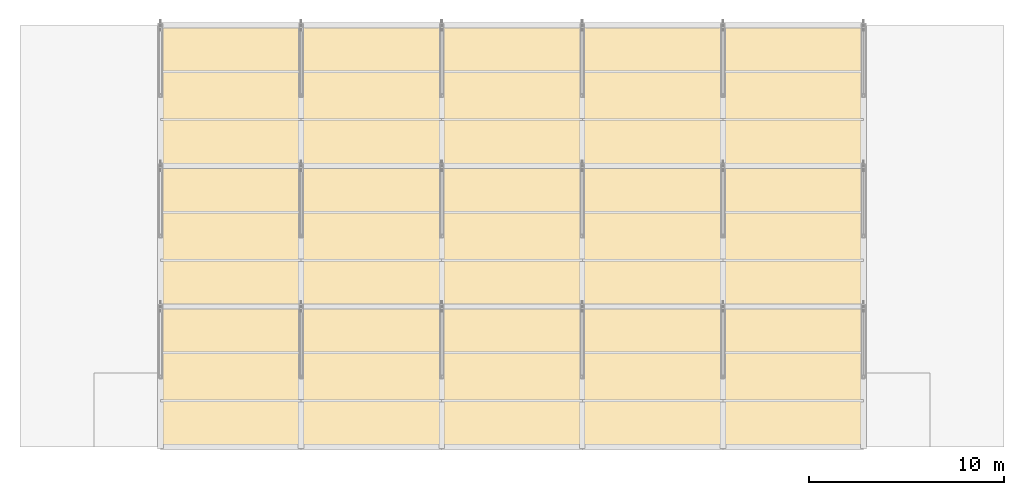
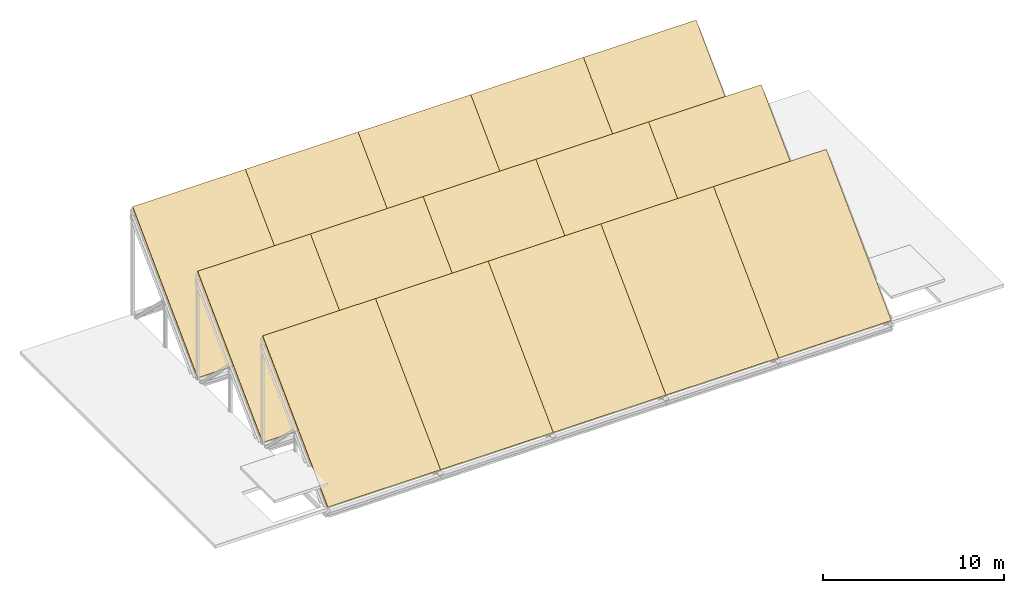
# One storey, part 7 of 7: 15 coverings, 15 elements without a shape of their own.
"""IFC4 building model written with IfcOpenShell, lengths in metres."""

from ifc_helpers import new_model, si_unit, direction, frame, origin, place, context, subcontext, project, spatial, polyline, outline, extrude, material, layer, layer_set, type_object, element, aggregate, save


model = new_model("IFC4")

# Units and contexts
model_context = context("Model", 3, precision=1e-05, world=origin(), true_north=direction((0.0, 1.0)))
body_context = subcontext(model_context, "Body", "Model", "MODEL_VIEW")
ifc_project = project(units=[si_unit("LENGTHUNIT", "METRE"), si_unit("AREAUNIT", "SQUARE_METRE"), si_unit("VOLUMEUNIT", "CUBIC_METRE"), si_unit("PLANEANGLEUNIT", "RADIAN"), si_unit("MASSUNIT", "GRAM", prefix="KILO")], contexts=[model_context])

# Site, building, storey
site_placement = place(None, origin())
site = spatial("IfcSite", under=ifc_project, at=site_placement, CompositionType="ELEMENT")
building_placement = place(site_placement, origin())
building = spatial("IfcBuilding", under=site, at=building_placement, Name="Zlatovets Crest Museum", CompositionType="ELEMENT")
storey_placement = place(building_placement, frame((0.0, 0.0, 30.60009765625)))
storey = spatial("IfcBuildingStorey", under=building, at=storey_placement, Name="Roof", CompositionType="ELEMENT", Elevation=30.60009765625)

# Roof, covering
ifc_material_1 = material(Name="Pre-patinated copper-zinc standing seam on steel deck", Category="steel")
ifc_layer_1 = layer(ifc_material_1, 0.199951171875)
ifc_layer_set_1 = layer_set([ifc_layer_1], Name="Pre-patinated copper-zinc standing seam on steel deck")
roof_type = type_object("IfcRoofType", Name="Roof_Sawtooth_Main", PredefinedType="SHED_ROOF", material=ifc_layer_set_1)
roof_1_placement = place(storey_placement, origin())
roof_1 = element("IfcRoof", 1, at=roof_1_placement, inside=storey, type_object=roof_type, Name="V1 North-Light Sawtooth Tooth 1 Bay 1", PredefinedType="SHED_ROOF")
ifc_material_2 = material(Name="Pre-patinated copper-zinc standing-seam roofing")
ifc_layer_2 = layer(ifc_material_2, 0.06005859375)
ifc_layer_set_2 = layer_set([ifc_layer_2], Name="Pre-patinated copper-zinc standing-seam roofing")
covering_type = type_object("IfcCoveringType", Name="RoofCov_Zinc", PredefinedType="ROOFING", material=ifc_layer_set_2)
covering_1_placement = place(storey_placement, frame((64.800048828125, 93.60009765625, 0.059814453125), z_axis=(0.0, -0.7071187694, 0.70709479277), x_axis=(1.0, 0.0, 0.0)))
covering_1 = element("IfcCovering", 2, at=covering_1_placement, type_object=covering_type, Name="V1 Sawtooth Tooth 1 Copper-Zinc Standing Seam Bay 1", PredefinedType="ROOFING", context=body_context, shape_type="SweptSolid", body=[
    extrude(outline(polyline([(0.0, 0.0), (7.199951171875, 0.0), (7.199951171875, 10.182441230644601), (0.0, 10.182441230644601), (0.0, 0.0)])), origin(), (0.0, 0.0, -1.0), 0.06005859375),
])
aggregate(roof_1, [covering_1])

roof_2_placement = place(storey_placement, origin())
roof_2 = element("IfcRoof", 3, at=roof_2_placement, inside=storey, type_object=roof_type, Name="V1 North-Light Sawtooth Tooth 1 Bay 2", PredefinedType="SHED_ROOF")
covering_2_placement = place(storey_placement, frame((72.0, 93.60009765625, 0.059814453125), z_axis=(0.0, -0.7071187694, 0.70709479277), x_axis=(1.0, 0.0, 0.0)))
covering_2 = element("IfcCovering", 4, at=covering_2_placement, type_object=covering_type, Name="V1 Sawtooth Tooth 1 Copper-Zinc Standing Seam Bay 2", PredefinedType="ROOFING", context=body_context, shape_type="SweptSolid", body=[
    extrude(outline(polyline([(0.0, 0.0), (7.199951171875, 0.0), (7.199951171875, 10.182441230644601), (0.0, 10.182441230644601), (0.0, 0.0)])), origin(), (0.0, 0.0, -1.0), 0.06005859375),
])
aggregate(roof_2, [covering_2])

roof_3_placement = place(storey_placement, origin())
roof_3 = element("IfcRoof", 5, at=roof_3_placement, inside=storey, type_object=roof_type, Name="V1 North-Light Sawtooth Tooth 1 Bay 3", PredefinedType="SHED_ROOF")
covering_3_placement = place(storey_placement, frame((79.199951171875, 93.60009765625, 0.059814453125), z_axis=(0.0, -0.7071187694, 0.70709479277), x_axis=(1.0, 0.0, 0.0)))
covering_3 = element("IfcCovering", 6, at=covering_3_placement, type_object=covering_type, Name="V1 Sawtooth Tooth 1 Copper-Zinc Standing Seam Bay 3", PredefinedType="ROOFING", context=body_context, shape_type="SweptSolid", body=[
    extrude(outline(polyline([(0.0, 0.0), (7.199951171875, 0.0), (7.199951171875, 10.182441230644601), (0.0, 10.182441230644601), (0.0, 0.0)])), origin(), (0.0, 0.0, -1.0), 0.06005859375),
])
aggregate(roof_3, [covering_3])

roof_4_placement = place(storey_placement, origin())
roof_4 = element("IfcRoof", 7, at=roof_4_placement, inside=storey, type_object=roof_type, Name="V1 North-Light Sawtooth Tooth 1 Bay 4", PredefinedType="SHED_ROOF")
covering_4_placement = place(storey_placement, frame((86.39990234375, 93.60009765625, 0.059814453125), z_axis=(0.0, -0.7071187694, 0.70709479277), x_axis=(1.0, 0.0, 0.0)))
covering_4 = element("IfcCovering", 8, at=covering_4_placement, type_object=covering_type, Name="V1 Sawtooth Tooth 1 Copper-Zinc Standing Seam Bay 4", PredefinedType="ROOFING", context=body_context, shape_type="SweptSolid", body=[
    extrude(outline(polyline([(0.0, 0.0), (7.2001953125, 0.0), (7.2001953125, 10.182441230644603), (0.0, 10.182441230644603), (0.0, 0.0)])), origin(), (0.0, 0.0, -1.0), 0.06005859375),
])
aggregate(roof_4, [covering_4])

roof_5_placement = place(storey_placement, origin())
roof_5 = element("IfcRoof", 9, at=roof_5_placement, inside=storey, type_object=roof_type, Name="V1 North-Light Sawtooth Tooth 1 Bay 5", PredefinedType="SHED_ROOF")
covering_5_placement = place(storey_placement, frame((93.60009765625, 93.60009765625, 0.059814453125), z_axis=(0.0, -0.7071187694, 0.70709479277), x_axis=(1.0, 0.0, 0.0)))
covering_5 = element("IfcCovering", 10, at=covering_5_placement, type_object=covering_type, Name="V1 Sawtooth Tooth 1 Copper-Zinc Standing Seam Bay 5", PredefinedType="ROOFING", context=body_context, shape_type="SweptSolid", body=[
    extrude(outline(polyline([(0.0, 0.0), (7.199951171875, 0.0), (7.199951171875, 10.182441230644601), (0.0, 10.182441230644601), (0.0, 0.0)])), origin(), (0.0, 0.0, -1.0), 0.06005859375),
])
aggregate(roof_5, [covering_5])

roof_6_placement = place(storey_placement, origin())
roof_6 = element("IfcRoof", 11, at=roof_6_placement, inside=storey, type_object=roof_type, Name="V1 North-Light Sawtooth Tooth 2 Bay 1", PredefinedType="SHED_ROOF")
covering_6_placement = place(storey_placement, frame((64.800048828125, 100.800048828125, 0.059814453125), z_axis=(0.0, -0.7071187694, 0.70709479277), x_axis=(1.0, 0.0, 0.0)))
covering_6 = element("IfcCovering", 12, at=covering_6_placement, type_object=covering_type, Name="V1 Sawtooth Tooth 2 Copper-Zinc Standing Seam Bay 1", PredefinedType="ROOFING", context=body_context, shape_type="SweptSolid", body=[
    extrude(outline(polyline([(0.0, 0.0), (7.199951171875, 0.0), (7.199951171875, 10.182441230644601), (0.0, 10.182441230644601), (0.0, 0.0)])), origin(), (0.0, 0.0, -1.0), 0.06005859375),
])
aggregate(roof_6, [covering_6])

roof_7_placement = place(storey_placement, origin())
roof_7 = element("IfcRoof", 13, at=roof_7_placement, inside=storey, type_object=roof_type, Name="V1 North-Light Sawtooth Tooth 2 Bay 2", PredefinedType="SHED_ROOF")
covering_7_placement = place(storey_placement, frame((72.0, 100.800048828125, 0.059814453125), z_axis=(0.0, -0.7071187694, 0.70709479277), x_axis=(1.0, 0.0, 0.0)))
covering_7 = element("IfcCovering", 14, at=covering_7_placement, type_object=covering_type, Name="V1 Sawtooth Tooth 2 Copper-Zinc Standing Seam Bay 2", PredefinedType="ROOFING", context=body_context, shape_type="SweptSolid", body=[
    extrude(outline(polyline([(0.0, 0.0), (7.199951171875, 0.0), (7.199951171875, 10.182441230644601), (0.0, 10.182441230644601), (0.0, 0.0)])), origin(), (0.0, 0.0, -1.0), 0.06005859375),
])
aggregate(roof_7, [covering_7])

roof_8_placement = place(storey_placement, origin())
roof_8 = element("IfcRoof", 15, at=roof_8_placement, inside=storey, type_object=roof_type, Name="V1 North-Light Sawtooth Tooth 2 Bay 3", PredefinedType="SHED_ROOF")
covering_8_placement = place(storey_placement, frame((79.199951171875, 100.800048828125, 0.059814453125), z_axis=(0.0, -0.7071187694, 0.70709479277), x_axis=(1.0, 0.0, 0.0)))
covering_8 = element("IfcCovering", 16, at=covering_8_placement, type_object=covering_type, Name="V1 Sawtooth Tooth 2 Copper-Zinc Standing Seam Bay 3", PredefinedType="ROOFING", context=body_context, shape_type="SweptSolid", body=[
    extrude(outline(polyline([(0.0, 0.0), (7.199951171875, 0.0), (7.199951171875, 10.182441230644601), (0.0, 10.182441230644601), (0.0, 0.0)])), origin(), (0.0, 0.0, -1.0), 0.06005859375),
])
aggregate(roof_8, [covering_8])

roof_9_placement = place(storey_placement, origin())
roof_9 = element("IfcRoof", 17, at=roof_9_placement, inside=storey, type_object=roof_type, Name="V1 North-Light Sawtooth Tooth 2 Bay 4", PredefinedType="SHED_ROOF")
covering_9_placement = place(storey_placement, frame((86.39990234375, 100.800048828125, 0.059814453125), z_axis=(0.0, -0.7071187694, 0.70709479277), x_axis=(1.0, 0.0, 0.0)))
covering_9 = element("IfcCovering", 18, at=covering_9_placement, type_object=covering_type, Name="V1 Sawtooth Tooth 2 Copper-Zinc Standing Seam Bay 4", PredefinedType="ROOFING", context=body_context, shape_type="SweptSolid", body=[
    extrude(outline(polyline([(0.0, 0.0), (7.2001953125, 0.0), (7.2001953125, 10.182441230644603), (0.0, 10.182441230644603), (0.0, 0.0)])), origin(), (0.0, 0.0, -1.0), 0.06005859375),
])
aggregate(roof_9, [covering_9])

roof_10_placement = place(storey_placement, origin())
roof_10 = element("IfcRoof", 19, at=roof_10_placement, inside=storey, type_object=roof_type, Name="V1 North-Light Sawtooth Tooth 2 Bay 5", PredefinedType="SHED_ROOF")
covering_10_placement = place(storey_placement, frame((93.60009765625, 100.800048828125, 0.059814453125), z_axis=(0.0, -0.7071187694, 0.70709479277), x_axis=(1.0, 0.0, 0.0)))
covering_10 = element("IfcCovering", 20, at=covering_10_placement, type_object=covering_type, Name="V1 Sawtooth Tooth 2 Copper-Zinc Standing Seam Bay 5", PredefinedType="ROOFING", context=body_context, shape_type="SweptSolid", body=[
    extrude(outline(polyline([(0.0, 0.0), (7.199951171875, 0.0), (7.199951171875, 10.182441230644601), (0.0, 10.182441230644601), (0.0, 0.0)])), origin(), (0.0, 0.0, -1.0), 0.06005859375),
])
aggregate(roof_10, [covering_10])

roof_11_placement = place(storey_placement, origin())
roof_11 = element("IfcRoof", 21, at=roof_11_placement, inside=storey, type_object=roof_type, Name="V1 North-Light Sawtooth Tooth 3 Bay 1", PredefinedType="SHED_ROOF")
covering_11_placement = place(storey_placement, frame((64.800048828125, 108.0, 0.059814453125), z_axis=(0.0, -0.7071187694, 0.70709479277), x_axis=(1.0, 0.0, 0.0)))
covering_11 = element("IfcCovering", 22, at=covering_11_placement, type_object=covering_type, Name="V1 Sawtooth Tooth 3 Copper-Zinc Standing Seam Bay 1", PredefinedType="ROOFING", context=body_context, shape_type="SweptSolid", body=[
    extrude(outline(polyline([(0.0, 0.0), (7.199951171875, 0.0), (7.199951171875, 10.182441230644601), (0.0, 10.182441230644601), (0.0, 0.0)])), origin(), (0.0, 0.0, -1.0), 0.06005859375),
])
aggregate(roof_11, [covering_11])

roof_12_placement = place(storey_placement, origin())
roof_12 = element("IfcRoof", 23, at=roof_12_placement, inside=storey, type_object=roof_type, Name="V1 North-Light Sawtooth Tooth 3 Bay 2", PredefinedType="SHED_ROOF")
covering_12_placement = place(storey_placement, frame((72.0, 108.0, 0.059814453125), z_axis=(0.0, -0.7071187694, 0.70709479277), x_axis=(1.0, 0.0, 0.0)))
covering_12 = element("IfcCovering", 24, at=covering_12_placement, type_object=covering_type, Name="V1 Sawtooth Tooth 3 Copper-Zinc Standing Seam Bay 2", PredefinedType="ROOFING", context=body_context, shape_type="SweptSolid", body=[
    extrude(outline(polyline([(0.0, 0.0), (7.199951171875, 0.0), (7.199951171875, 10.182441230644601), (0.0, 10.182441230644601), (0.0, 0.0)])), origin(), (0.0, 0.0, -1.0), 0.06005859375),
])
aggregate(roof_12, [covering_12])

roof_13_placement = place(storey_placement, origin())
roof_13 = element("IfcRoof", 25, at=roof_13_placement, inside=storey, type_object=roof_type, Name="V1 North-Light Sawtooth Tooth 3 Bay 3", PredefinedType="SHED_ROOF")
covering_13_placement = place(storey_placement, frame((79.199951171875, 108.0, 0.059814453125), z_axis=(0.0, -0.7071187694, 0.70709479277), x_axis=(1.0, 0.0, 0.0)))
covering_13 = element("IfcCovering", 26, at=covering_13_placement, type_object=covering_type, Name="V1 Sawtooth Tooth 3 Copper-Zinc Standing Seam Bay 3", PredefinedType="ROOFING", context=body_context, shape_type="SweptSolid", body=[
    extrude(outline(polyline([(0.0, 0.0), (7.199951171875, 0.0), (7.199951171875, 10.182441230644601), (0.0, 10.182441230644601), (0.0, 0.0)])), origin(), (0.0, 0.0, -1.0), 0.06005859375),
])
aggregate(roof_13, [covering_13])

roof_14_placement = place(storey_placement, origin())
roof_14 = element("IfcRoof", 27, at=roof_14_placement, inside=storey, type_object=roof_type, Name="V1 North-Light Sawtooth Tooth 3 Bay 4", PredefinedType="SHED_ROOF")
covering_14_placement = place(storey_placement, frame((86.39990234375, 108.0, 0.059814453125), z_axis=(0.0, -0.7071187694, 0.70709479277), x_axis=(1.0, 0.0, 0.0)))
covering_14 = element("IfcCovering", 28, at=covering_14_placement, type_object=covering_type, Name="V1 Sawtooth Tooth 3 Copper-Zinc Standing Seam Bay 4", PredefinedType="ROOFING", context=body_context, shape_type="SweptSolid", body=[
    extrude(outline(polyline([(0.0, 0.0), (7.2001953125, 0.0), (7.2001953125, 10.182441230644603), (0.0, 10.182441230644603), (0.0, 0.0)])), origin(), (0.0, 0.0, -1.0), 0.06005859375),
])
aggregate(roof_14, [covering_14])

roof_15_placement = place(storey_placement, origin())
roof_15 = element("IfcRoof", 29, at=roof_15_placement, inside=storey, type_object=roof_type, Name="V1 North-Light Sawtooth Tooth 3 Bay 5", PredefinedType="SHED_ROOF")
covering_15_placement = place(storey_placement, frame((93.60009765625, 108.0, 0.059814453125), z_axis=(0.0, -0.7071187694, 0.70709479277), x_axis=(1.0, 0.0, 0.0)))
covering_15 = element("IfcCovering", 30, at=covering_15_placement, type_object=covering_type, Name="V1 Sawtooth Tooth 3 Copper-Zinc Standing Seam Bay 5", PredefinedType="ROOFING", context=body_context, shape_type="SweptSolid", body=[
    extrude(outline(polyline([(0.0, 0.0), (7.199951171875, 0.0), (7.199951171875, 10.182441230644601), (0.0, 10.182441230644601), (0.0, 0.0)])), origin(), (0.0, 0.0, -1.0), 0.06005859375),
])
aggregate(roof_15, [covering_15])

save(model, "model.ifc")
